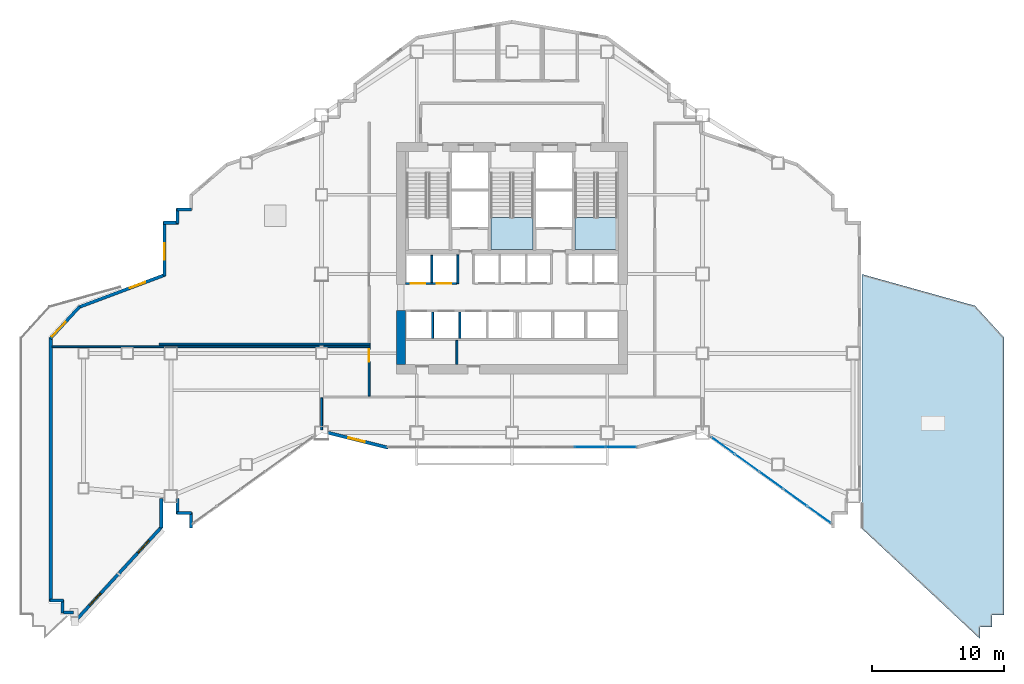
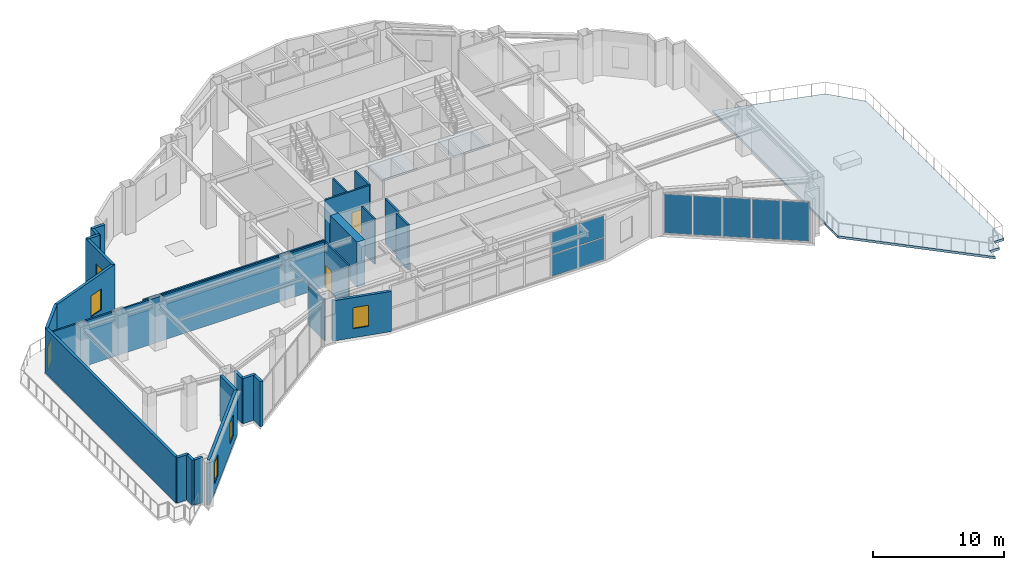
# One storey, part 9 of 19: 27 walls, 9 plates, 5 windows, 4 doors, 3 slabs, 9 openings, 4 elements without a shape of their own.
"""IFC4 building model written with IfcOpenShell, lengths in metres."""

import ifcopenshell
import ifcopenshell.guid

model = None  # the IFC model being written
_history = None  # IfcOwnerHistory: only IFC2X3 demands one
_inside = {}  # id of a spatial element -> (the spatial element, [elements in it])
_under = {}  # id of a project, library or spatial element -> (it, [spatial elements below it])
_declared = {}  # id of a project -> (the project, [libraries it declares])
_typed = {}  # id of a type object -> (the type object, [elements of that type])
_made_of = {}  # id of a material, layer set ... -> (it, [elements and type objects made of it])


def new_model(schema):
    """Start an empty IFC model of exactly this schema.

    Asked for "IFC4X3", IfcOpenShell would pick the latest addendum, in which some entities
    have other attributes; the version numbers below select the first issue.
    IFC2X3 requires an IfcOwnerHistory on every rooted entity: one is made here for all.
    """
    global model, _history
    if schema == "IFC4X3":
        model = ifcopenshell.file(schema_version=(4, 3, 0, 0))
    else:
        model = ifcopenshell.file(schema=schema)
    _inside.clear()
    _under.clear()
    _declared.clear()
    _typed.clear()
    _made_of.clear()
    _history = None
    if model.schema == "IFC2X3":
        org = make("IfcOrganization", Name="unknown")
        user = make(
            "IfcPersonAndOrganization",
            ThePerson=make("IfcPerson", FamilyName="unknown"),
            TheOrganization=org,
        )
        app = make(
            "IfcApplication",
            ApplicationDeveloper=org,
            Version="unknown",
            ApplicationFullName="unknown",
            ApplicationIdentifier="unknown",
        )
        _history = make(
            "IfcOwnerHistory",
            OwningUser=user,
            OwningApplication=app,
            ChangeAction="ADDED",
            CreationDate=0,
        )
    return model


def make(cls, **values):
    """One entity of the class cls with the attributes given. An attribute that is None is left unset."""
    return model.create_entity(
        cls, **{name: value for name, value in values.items() if value is not None}
    )


def rooted(cls, **values):
    """An entity with a GlobalId (a new one), such as an element, a storey or a relation."""
    return make(cls, GlobalId=ifcopenshell.guid.new(), OwnerHistory=_history, **values)


def si_unit(unit_type, name, prefix=None):
    """IfcSIUnit, for example si_unit("LENGTHUNIT", "METRE", prefix="MILLI")."""
    return make("IfcSIUnit", UnitType=unit_type, Prefix=prefix, Name=name)


def assignment(units):
    """IfcUnitAssignment: the units of a project."""
    return None if units is None else make("IfcUnitAssignment", Units=units)


def point(xyz):
    """IfcCartesianPoint."""
    return None if xyz is None else make("IfcCartesianPoint", Coordinates=xyz)


def direction(xyz):
    """IfcDirection."""
    return None if xyz is None else make("IfcDirection", DirectionRatios=xyz)


def frame(location, z_axis=None, x_axis=None):
    """IfcAxis2Placement3D, a coordinate frame: its origin and axes. An axis left out is left unset."""
    return make(
        "IfcAxis2Placement3D",
        Location=point(location),
        Axis=direction(z_axis),
        RefDirection=direction(x_axis),
    )


def frame_2d(location, x_axis=None):
    """IfcAxis2Placement2D, a coordinate frame in the plane: its origin and x axis."""
    return make(
        "IfcAxis2Placement2D", Location=point(location), RefDirection=direction(x_axis)
    )


def origin():
    """The frame at (0, 0, 0) with its axes left unset."""
    return frame((0.0, 0.0, 0.0))


def origin_2d():
    """The frame at (0, 0) in the plane with its x axis left unset."""
    return frame_2d((0.0, 0.0))


def place(relative_to, where):
    """IfcLocalPlacement: puts the frame where relative to a parent placement (None: the world)."""
    return make(
        "IfcLocalPlacement", PlacementRelTo=relative_to, RelativePlacement=where
    )


def context(
    kind, dimensions, precision=None, world=None, true_north=None, identifier=None
):
    """IfcGeometricRepresentationContext, for example the 3D "Model" context."""
    return make(
        "IfcGeometricRepresentationContext",
        ContextIdentifier=identifier,
        ContextType=kind,
        CoordinateSpaceDimension=dimensions,
        Precision=precision,
        WorldCoordinateSystem=world,
        TrueNorth=true_north,
    )


def subcontext(parent, identifier, kind, view, scale=None):
    """IfcGeometricRepresentationSubContext, for example "Body" below "Model"."""
    return make(
        "IfcGeometricRepresentationSubContext",
        ContextIdentifier=identifier,
        ContextType=kind,
        ParentContext=parent,
        TargetScale=scale,
        TargetView=view,
    )


def project(units=None, contexts=None):
    """IfcProject with its units and contexts."""
    return rooted(
        "IfcProject",
        Name="project",
        RepresentationContexts=contexts,
        UnitsInContext=assignment(units),
    )


def spatial(cls, under=None, at=None, **own):
    """A site, building, storey or space (cls), placed at a placement, below another one or the project."""
    s = rooted(cls, ObjectPlacement=at, **own)
    if under is not None:
        _under.setdefault(under.id(), (under, []))[1].append(s)
    return s


def polyline(points):
    """IfcPolyline through the points."""
    return make("IfcPolyline", Points=[point(p) for p in points])


def profile(cls, at=None, kind="AREA", **sizes):
    """A parametric profile (cls). Its sizes go by their IFC names, for example OverallWidth=200.0."""
    return make(cls, ProfileType=kind, Position=at, **sizes)


def rectangle(**sizes):
    """IfcRectangleProfileDef."""
    return profile("IfcRectangleProfileDef", **sizes)


def outline(outer, holes=None, kind="AREA"):
    """IfcArbitraryClosedProfileDef: a profile drawn as a closed curve; with holes, ...WithVoids."""
    if holes is None:
        return make("IfcArbitraryClosedProfileDef", ProfileType=kind, OuterCurve=outer)
    return make(
        "IfcArbitraryProfileDefWithVoids",
        ProfileType=kind,
        OuterCurve=outer,
        InnerCurves=holes,
    )


def extrude(swept, where, along, depth):
    """IfcExtrudedAreaSolid: the profile swept, set in the frame where, extruded along a direction by depth."""
    return make(
        "IfcExtrudedAreaSolid",
        SweptArea=swept,
        Position=where,
        ExtrudedDirection=direction(along),
        Depth=depth,
    )


def shape(context_of_items, identifier, shape_type, items):
    """IfcShapeRepresentation: the items that make up one representation, for example the "Body"."""
    return make(
        "IfcShapeRepresentation",
        ContextOfItems=context_of_items,
        RepresentationIdentifier=identifier,
        RepresentationType=shape_type,
        Items=items,
    )


def material(Name=None, Category=None):
    """IfcMaterial."""
    return make("IfcMaterial", Name=Name, Category=Category)


def layer(
    of_material, thickness, ventilated=None, Name=None, Category=None, Priority=None
):
    """IfcMaterialLayer: one layer of a wall or slab, of a material (None: an air gap)."""
    return make(
        "IfcMaterialLayer",
        Material=of_material,
        LayerThickness=thickness,
        IsVentilated=ventilated,
        Name=Name,
        Category=Category,
        Priority=Priority,
    )


def layer_set(layers, Name=None):
    """IfcMaterialLayerSet."""
    return make("IfcMaterialLayerSet", MaterialLayers=layers, LayerSetName=Name)


def made_of(thing, what):
    """Note that an element or type object is made of a material, layer set ...; save() writes the relation."""
    if what is not None:
        _made_of.setdefault(what.id(), (what, []))[1].append(thing)
    return thing


def type_object(cls, material=None, **own):
    """A type object (cls), such as IfcWallType, which elements share."""
    return made_of(rooted(cls, **own), material)


def element(
    cls,
    number,
    at=None,
    inside=None,
    cuts=None,
    type_object=None,
    material=None,
    context=None,
    identifier="Body",
    shape_type=None,
    held_by="IfcProductDefinitionShape",
    body=None,
    shapes=None,
    **own,
):
    """One element of the class cls, such as IfcWall. Its Tag is "e" and its number.

    at: its placement. inside: the storey or other place that contains it. cuts: it is an
    opening in that element (IfcRelVoidsElement). A single representation is given by context,
    identifier, shape_type and body (its items); several are given by shapes. held_by: the class
    of the entity that holds the representations. save() writes the other relations.
    """
    e = rooted(cls, Tag="e%d" % number, ObjectPlacement=at, **own)
    if body is not None:
        shapes = [shape(context, identifier, shape_type, body)]
    if shapes is not None:
        e.Representation = make(held_by, Representations=shapes)
    if inside is not None:
        _inside.setdefault(inside.id(), (inside, []))[1].append(e)
    if cuts is not None:
        rooted(
            "IfcRelVoidsElement", RelatingBuildingElement=cuts, RelatedOpeningElement=e
        )
    if type_object is not None:
        _typed.setdefault(type_object.id(), (type_object, []))[1].append(e)
    return made_of(e, material)


def fill(opening, filler):
    """IfcRelFillsElement: the door or window that sits in an opening."""
    return rooted(
        "IfcRelFillsElement",
        RelatingOpeningElement=opening,
        RelatedBuildingElement=filler,
    )


def aggregate(whole, parts):
    """IfcRelAggregates: a whole, such as a stair, and the parts it consists of."""
    return rooted("IfcRelAggregates", RelatingObject=whole, RelatedObjects=parts)


def save(model, path):
    """Write the relations noted so far, then the file.

    IfcRelAggregates (storeys below a building ...), IfcRelContainedInSpatialStructure (elements
    in a storey), IfcRelDefinesByType, IfcRelAssociatesMaterial and IfcRelDeclares: one each for
    every whole, place, type object, material and project.
    """
    for whole, parts in _under.values():
        aggregate(whole, parts)
    for where, things in _inside.values():
        rooted(
            "IfcRelContainedInSpatialStructure",
            RelatedElements=things,
            RelatingStructure=where,
        )
    for kind, things in _typed.values():
        rooted("IfcRelDefinesByType", RelatedObjects=things, RelatingType=kind)
    for what, things in _made_of.values():
        rooted("IfcRelAssociatesMaterial", RelatedObjects=things, RelatingMaterial=what)
    for by, libraries in _declared.values():
        rooted("IfcRelDeclares", RelatingContext=by, RelatedDefinitions=libraries)
    model.write(path)


model = new_model("IFC4")

# Units and contexts
model_context = context("Model", 3, precision=1e-05, world=origin(), true_north=direction((0.0, 1.0)))
body_context = subcontext(model_context, "Body", "Model", "MODEL_VIEW")
ifc_project = project(units=[si_unit("LENGTHUNIT", "METRE"), si_unit("AREAUNIT", "SQUARE_METRE"), si_unit("VOLUMEUNIT", "CUBIC_METRE"), si_unit("PLANEANGLEUNIT", "RADIAN"), si_unit("MASSUNIT", "GRAM", prefix="KILO")], contexts=[model_context])

# Site, building, storey
site_placement = place(None, origin())
site = spatial("IfcSite", under=ifc_project, at=site_placement, CompositionType="ELEMENT")
building_placement = place(site_placement, origin())
building = spatial("IfcBuilding", under=site, at=building_placement, Name="Haolan Belvedere Tower", CompositionType="ELEMENT")
storey_placement = place(building_placement, frame((0.0, 0.0, 94.0)))
storey = spatial("IfcBuildingStorey", under=building, at=storey_placement, Name="L23", CompositionType="ELEMENT", Elevation=94.0)

# Curtain wall, plates
ifc_material_1 = material(Name="Anodised champagne-silver aluminium 6063-T6 and Low-E glass", Category="aluminium")
ifc_layer_1 = layer(ifc_material_1, 0.195068359375, Name="Anodised champagne-silver aluminium 6063-T6 and Low-E glass")
ifc_layer_set_1 = layer_set([ifc_layer_1], Name="Anodised champagne-silver aluminium 6063-T6 and Low-E glass")
curtain_wall_type = type_object("IfcCurtainWallType", Name="CW-SYS-06", PredefinedType="NOTDEFINED", material=ifc_layer_set_1)
curtain_wall_1_placement = place(storey_placement, origin())
curtain_wall_1 = element("IfcCurtainWall", 1, at=curtain_wall_1_placement, inside=storey, type_object=curtain_wall_type, Name="L23 CW-SYS-06 ribbon curtain wall 7.1", PredefinedType="NOTDEFINED")
ifc_material_2 = material(Name="Double silver Low-E laminated insulating glass", Category="glass")
ifc_layer_2 = layer(ifc_material_2, 0.031982421875, Name="Double silver Low-E laminated insulating glass")
ifc_layer_set_2 = layer_set([ifc_layer_2], Name="Double silver Low-E laminated insulating glass")
plate_type = type_object("IfcPlateType", Name="CW-SYS-06-PNL", PredefinedType="CURTAIN_PANEL", material=ifc_layer_set_2)
plate_1_placement = place(storey_placement, frame((44.30322265625, 20.52001953125, 0.06494140625), z_axis=(0.0, 0.0, 1.0), x_axis=(1.0, 0.0, 0.0)))
plate_1 = element("IfcPlate", 2, at=plate_1_placement, type_object=plate_type, Name="CW-06 panel 7.1", PredefinedType="CURTAIN_PANEL", context=body_context, shape_type="SweptSolid", body=[
    extrude(rectangle(XDim=2.291259765625, YDim=0.031982421875, at=origin_2d()), origin(), (0.0, 0.0, 1.0), 2.00244140625),
])
plate_2_placement = place(storey_placement, frame((44.30322265625, 20.52001953125, 2.132568359375), z_axis=(0.0, 0.0, 1.0), x_axis=(1.0, 0.0, 0.0)))
plate_2 = element("IfcPlate", 3, at=plate_2_placement, type_object=plate_type, Name="CW-06 panel 7.2", PredefinedType="CURTAIN_PANEL", context=body_context, shape_type="SweptSolid", body=[
    extrude(rectangle(XDim=2.291259765625, YDim=0.031982421875, at=origin_2d()), origin(), (0.0, 0.0, 1.0), 2.00244140625),
])
plate_3_placement = place(storey_placement, frame((46.64697265625, 20.52001953125, 0.06494140625), z_axis=(0.0, 0.0, 1.0), x_axis=(1.0, 0.0, 0.0)))
plate_3 = element("IfcPlate", 4, at=plate_3_placement, type_object=plate_type, Name="CW-06 panel 8.1", PredefinedType="CURTAIN_PANEL", context=body_context, shape_type="SweptSolid", body=[
    extrude(rectangle(XDim=2.25634765625, YDim=0.031982421875, at=origin_2d()), origin(), (0.0, 0.0, 1.0), 2.00244140625),
])
plate_4_placement = place(storey_placement, frame((46.64697265625, 20.52001953125, 2.132568359375), z_axis=(0.0, 0.0, 1.0), x_axis=(1.0, 0.0, 0.0)))
plate_4 = element("IfcPlate", 5, at=plate_4_placement, type_object=plate_type, Name="CW-06 panel 8.2", PredefinedType="CURTAIN_PANEL", context=body_context, shape_type="SweptSolid", body=[
    extrude(rectangle(XDim=2.25634765625, YDim=0.031982421875, at=origin_2d()), origin(), (0.0, 0.0, 1.0), 2.00244140625),
])
aggregate(curtain_wall_1, [plate_1, plate_2, plate_3, plate_4])

curtain_wall_2_placement = place(storey_placement, origin())
curtain_wall_2 = element("IfcCurtainWall", 6, at=curtain_wall_2_placement, inside=storey, type_object=curtain_wall_type, Name="L23 CW-SYS-06 ribbon curtain wall 9.1", PredefinedType="NOTDEFINED")
plate_5_placement = place(storey_placement, frame((54.356201171875, 20.627197265625, 0.06494140625), z_axis=(0.0, 0.0, 1.0), x_axis=(0.811539900127, -0.584297005385, 0.0)))
plate_5 = element("IfcPlate", 7, at=plate_5_placement, type_object=plate_type, Name="CW-06 panel 1.1", PredefinedType="CURTAIN_PANEL", context=body_context, shape_type="SweptSolid", body=[
    extrude(rectangle(XDim=2.14697265625, YDim=0.031982421875, at=origin_2d()), origin(), (0.0, 0.0, 1.0), 3.614990234375),
])
plate_6_placement = place(storey_placement, frame((56.169677734375, 19.321533203125, 0.06494140625), z_axis=(0.0, 0.0, 1.0), x_axis=(0.811539900127, -0.584297005385, 0.0)))
plate_6 = element("IfcPlate", 8, at=plate_6_placement, type_object=plate_type, Name="CW-06 panel 2.1", PredefinedType="CURTAIN_PANEL", context=body_context, shape_type="SweptSolid", body=[
    extrude(rectangle(XDim=2.18212890625, YDim=0.031982421875, at=origin_2d()), origin(), (0.0, 0.0, 1.0), 3.614990234375),
])
plate_7_placement = place(storey_placement, frame((57.997314453125, 18.005859375, 0.06494140625), z_axis=(0.0, 0.0, 1.0), x_axis=(0.811539900127, -0.584297005385, 0.0)))
plate_7 = element("IfcPlate", 9, at=plate_7_placement, type_object=plate_type, Name="CW-06 panel 3.1", PredefinedType="CURTAIN_PANEL", context=body_context, shape_type="SweptSolid", body=[
    extrude(rectangle(XDim=2.18212890625, YDim=0.031982421875, at=origin_2d()), origin(), (0.0, 0.0, 1.0), 3.614990234375),
])
plate_8_placement = place(storey_placement, frame((59.824951171875, 16.68994140625, 0.06494140625), z_axis=(0.0, 0.0, 1.0), x_axis=(0.811539900127, -0.584297005385, 0.0)))
plate_8 = element("IfcPlate", 10, at=plate_8_placement, type_object=plate_type, Name="CW-06 panel 4.1", PredefinedType="CURTAIN_PANEL", context=body_context, shape_type="SweptSolid", body=[
    extrude(rectangle(XDim=2.18212890625, YDim=0.031982421875, at=origin_2d()), origin(), (0.0, 0.0, 1.0), 3.614990234375),
])
plate_9_placement = place(storey_placement, frame((61.638427734375, 15.38427734375, 0.06494140625), z_axis=(0.0, 0.0, 1.0), x_axis=(0.811539900127, -0.584297005385, 0.0)))
plate_9 = element("IfcPlate", 11, at=plate_9_placement, type_object=plate_type, Name="CW-06 panel 5.1", PredefinedType="CURTAIN_PANEL", context=body_context, shape_type="SweptSolid", body=[
    extrude(rectangle(XDim=2.14697265625, YDim=0.031982421875, at=origin_2d()), origin(), (0.0, 0.0, 1.0), 3.614990234375),
])
aggregate(curtain_wall_2, [plate_5, plate_6, plate_7, plate_8, plate_9])

# Stair, slab
ifc_material_3 = material(Name="Concrete C40/50", Category="concrete")
stair_type = type_object("IfcStairType", Name="STR-DL-26R-169", PredefinedType="HALF_TURN_STAIR", material=ifc_material_3)
stair_1_placement = place(storey_placement, origin())
stair_1 = element("IfcStair", 12, at=stair_1_placement, inside=storey, type_object=stair_type, Name="L23 Smokeproof Core Exit Stair ST3", PredefinedType="HALF_TURN_STAIR")
ifc_layer_3 = layer(ifc_material_3, 0.199951171875, Name="Concrete C40/50")
ifc_layer_set_3 = layer_set([ifc_layer_3], Name="Concrete C40/50")
slab_type_1 = type_object("IfcSlabType", Name="SL-LAND-200", PredefinedType="LANDING", material=ifc_layer_set_3)
slab_1_placement = place(storey_placement, frame((0.0, 0.0, 2.0)))
slab_1 = element("IfcSlab", 13, at=slab_1_placement, type_object=slab_type_1, Name="ST3 landing 1", PredefinedType="LANDING", context=body_context, shape_type="SweptSolid", body=[
    extrude(outline(polyline([(36.81005859375, 37.8701171875), (36.81005859375, 35.449951171875), (39.989990234375, 35.449951171875), (39.989990234375, 37.8701171875), (36.81005859375, 37.8701171875)])), origin(), (0.0, 0.0, 1.0), 0.199951171875),
])
aggregate(stair_1, [slab_1])

stair_2_placement = place(storey_placement, origin())
stair_2 = element("IfcStair", 14, at=stair_2_placement, inside=storey, type_object=stair_type, Name="L23 Smokeproof Core Exit Stair ST2", PredefinedType="HALF_TURN_STAIR")
slab_2_placement = place(storey_placement, frame((0.0, 0.0, 2.0)))
slab_2 = element("IfcSlab", 15, at=slab_2_placement, type_object=slab_type_1, Name="ST2 landing 1", PredefinedType="LANDING", context=body_context, shape_type="SweptSolid", body=[
    extrude(outline(polyline([(43.169921875, 37.8701171875), (43.169921875, 35.449951171875), (46.35009765625, 35.449951171875), (46.35009765625, 37.8701171875), (43.169921875, 37.8701171875)])), origin(), (0.0, 0.0, 1.0), 0.199951171875),
])
aggregate(stair_2, [slab_2])

# Slab
ifc_layer_4 = layer(ifc_material_3, 0.219970703125, Name="Concrete C40/50")
ifc_layer_set_4 = layer_set([ifc_layer_4], Name="Concrete C40/50")
slab_type_2 = type_object("IfcSlabType", Name="SL-TER-220", PredefinedType="FLOOR", material=ifc_layer_set_4)
slab_3_placement = place(storey_placement, frame((0.0, 0.0, -0.239990234375)))
element("IfcSlab", 16, at=slab_3_placement, inside=storey, type_object=slab_type_2, Name="L23 planted garden terrace slab 2", PredefinedType="FLOOR", context=body_context, shape_type="SweptSolid", body=[
    extrude(outline(polyline([(64.800048828125, 14.39990234375), (73.800048828125, 6.0), (73.800048828125, 6.896240234375), (73.80029296875, 6.89990234375), (73.8037109375, 6.89990234375), (74.699951171875, 6.89990234375), (74.699951171875, 7.79638671875), (74.7001953125, 7.7998046875), (74.70361328125, 7.800048828125), (75.60009765625, 7.800048828125), (75.60009765625, 28.800048828125), (73.39990234375, 31.199951171875), (64.85009765625, 33.5859375), (64.85009765625, 16.40185546875), (64.849853515625, 16.398681640625), (64.849365234375, 16.392578125), (64.848388671875, 16.387939453125), (64.846923828125, 16.38330078125), (64.84521484375, 16.378662109375), (64.8427734375, 16.37451171875), (64.840087890625, 16.370361328125), (64.800048828125, 16.321533203125), (64.800048828125, 14.39990234375)])), origin(), (0.0, 0.0, 1.0), 0.219970703125),
])

# Walls
ifc_material_4 = material(Name="Concrete C60/75", Category="concrete")
ifc_layer_5 = layer(ifc_material_4, 0.699951171875, Name="Concrete C60/75")
ifc_layer_set_5 = layer_set([ifc_layer_5], Name="Concrete C60/75")
wall_type_1 = type_object("IfcWallType", Name="WL-CORE-700", PredefinedType="SHEAR", material=ifc_layer_set_5)
wall_1_placement = place(storey_placement, frame((30.0, 26.75, 0.0), z_axis=(0.0, 0.0, 1.0), x_axis=(0.0, 1.0, 0.0)))
element("IfcWall", 17, at=wall_1_placement, inside=storey, type_object=wall_type_1, Name="L23 central core shear wall WS", PredefinedType="SHEAR", context=body_context, shape_type="SweptSolid", body=[
    extrude(rectangle(XDim=4.10009765625, YDim=0.699951171875, at=frame_2d((2.050048828125, 0.0))), origin(), (0.0, 0.0, 1.0), 4.199951171875),
])
ifc_material_5 = material(Name="Precast concrete C40/50", Category="concrete")
ifc_layer_6 = layer(ifc_material_5, 0.239990234375, Name="Precast concrete C40/50")
ifc_layer_set_6 = layer_set([ifc_layer_6], Name="Precast concrete C40/50")
wall_type_2 = type_object("IfcWallType", Name="WL-EXT-240", PredefinedType="SOLIDWALL", material=ifc_layer_set_6)
wall_2_placement = place(storey_placement, frame((13.1201171875, 16.639892578125, 0.0), z_axis=(0.0, 0.0, 1.0), x_axis=(0.0, -1.0, 0.0)))
element("IfcWall", 18, at=wall_2_placement, inside=storey, type_object=wall_type_2, Name="L23 pale-metal exterior spandrel wall 2.1", PredefinedType="SOLIDWALL", context=body_context, shape_type="SweptSolid", body=[
    extrude(rectangle(XDim=1.1748046875, YDim=0.239990234375, at=frame_2d((0.58740234375, 0.0))), origin(), (0.0, 0.0, 1.0), 4.199951171875),
])
wall_3_placement = place(storey_placement, frame((13.06494140625, 15.52001953125, 0.0), z_axis=(0.0, 0.0, 1.0), x_axis=(1.0, 0.0, 0.0)))
element("IfcWall", 19, at=wall_3_placement, inside=storey, type_object=wall_type_2, Name="L23 pale-metal exterior spandrel wall 3.1", PredefinedType="SOLIDWALL", context=body_context, shape_type="SweptSolid", body=[
    extrude(rectangle(XDim=1.110107421875, YDim=0.239990234375, at=frame_2d((0.55517578125, 0.0))), origin(), (0.0, 0.0, 1.0), 4.199951171875),
])
wall_4_placement = place(storey_placement, frame((14.1201171875, 15.574951171875, 0.0), z_axis=(0.0, 0.0, 1.0), x_axis=(0.0, -1.0, 0.0)))
element("IfcWall", 20, at=wall_4_placement, inside=storey, type_object=wall_type_2, Name="L23 pale-metal exterior spandrel wall 4.1", PredefinedType="SOLIDWALL", context=body_context, shape_type="SweptSolid", body=[
    extrude(rectangle(XDim=1.165771484375, YDim=0.239990234375, at=frame_2d((0.5830078125, 0.0))), origin(), (0.0, 0.0, 1.0), 4.199951171875),
])

# Wall, opening, window
wall_5_placement = place(storey_placement, frame((24.491943359375, 21.6005859375, 0.0), z_axis=(0.0, 0.0, 1.0), x_axis=(0.970145568042, -0.242523353121, 0.0)))
wall_5 = element("IfcWall", 21, at=wall_5_placement, inside=storey, type_object=wall_type_2, Name="L23 pale-metal exterior spandrel wall 6.1", PredefinedType="SOLIDWALL", context=body_context, shape_type="SweptSolid", body=[
    extrude(rectangle(XDim=4.680908203125, YDim=0.239990234375, at=frame_2d((2.34033203125, 0.0))), origin(), (0.0, 0.0, 1.0), 3.7451171875),
])
opening_1_placement = place(wall_5_placement, frame((1.60009765625, 0.0, 0.85009765625)))
opening_1 = element("IfcOpeningElement", 22, at=opening_1_placement, cuts=wall_5, Name="Opening W-04", PredefinedType="OPENING", context=body_context, shape_type="SweptSolid", body=[
    extrude(rectangle(XDim=1.25, YDim=1.949951171875, at=frame_2d((0.625, 0.97509765625))), frame((0.0, 0.1298828125, 0.0), z_axis=(0.0, -1.0, 0.0), x_axis=(1.0, 0.0, 0.0)), (0.0, 0.0, 1.0), 0.260009765625),
])
ifc_material_6 = material(Name="Anodised aluminium 6063-T6 and Low-E glass", Category="aluminium")
window_type = type_object("IfcWindowType", Name="WN-DECO-Z4", PartitioningType="SINGLE_PANEL", PredefinedType="WINDOW", material=ifc_material_6)
window_1_placement = place(opening_1_placement, origin())
window_1 = element("IfcWindow", 23, at=window_1_placement, inside=storey, type_object=window_type, Name="L23 Art Deco chevron window 1", OverallHeight=1.949951171875, OverallWidth=1.25, PartitioningType="SINGLE_PANEL", PredefinedType="WINDOW", context=body_context, shape_type="SweptSolid", body=[
    extrude(rectangle(XDim=1.25, YDim=1.949951171875, at=frame_2d((0.625, 0.97509765625))), frame((0.0, 0.030029296875, 0.0), z_axis=(0.0, -1.0, 0.0), x_axis=(1.0, 0.0, 0.0)), (0.0, 0.0, 1.0), 0.06005859375),
])
fill(opening_1, window_1)

# Walls
wall_6_placement = place(storey_placement, frame((14.175048828125, 38.47998046875, 0.0), z_axis=(0.0, 0.0, 1.0), x_axis=(-1.0, 0.0, 0.0)))
element("IfcWall", 24, at=wall_6_placement, inside=storey, type_object=wall_type_2, Name="L23 pale-metal exterior spandrel wall 38.1", PredefinedType="SOLIDWALL", context=body_context, shape_type="SweptSolid", body=[
    extrude(rectangle(XDim=1.110107421875, YDim=0.239990234375, at=frame_2d((0.55517578125, 0.0))), origin(), (0.0, 0.0, 1.0), 4.199951171875),
])
wall_7_placement = place(storey_placement, frame((13.1201171875, 38.534912109375, 0.0), z_axis=(0.0, 0.0, 1.0), x_axis=(0.0, -1.0, 0.0)))
element("IfcWall", 25, at=wall_7_placement, inside=storey, type_object=wall_type_2, Name="L23 pale-metal exterior spandrel wall 39.1", PredefinedType="SOLIDWALL", context=body_context, shape_type="SweptSolid", body=[
    extrude(rectangle(XDim=1.10986328125, YDim=0.239990234375, at=frame_2d((0.554931640625, 0.0))), origin(), (0.0, 0.0, 1.0), 4.199951171875),
])
wall_8_placement = place(storey_placement, frame((13.175048828125, 37.47998046875, 0.0), z_axis=(0.0, 0.0, 1.0), x_axis=(-1.0, 0.0, 0.0)))
element("IfcWall", 26, at=wall_8_placement, inside=storey, type_object=wall_type_2, Name="L23 pale-metal exterior spandrel wall 40.1", PredefinedType="SOLIDWALL", context=body_context, shape_type="SweptSolid", body=[
    extrude(rectangle(XDim=1.110107421875, YDim=0.239990234375, at=frame_2d((0.55517578125, 0.0))), origin(), (0.0, 0.0, 1.0), 4.199951171875),
])

# Wall, opening, window
wall_9_placement = place(storey_placement, frame((12.1201171875, 37.534912109375, 0.0), z_axis=(0.0, 0.0, 1.0), x_axis=(0.0, -1.0, 0.0)))
wall_9 = element("IfcWall", 27, at=wall_9_placement, inside=storey, type_object=wall_type_2, Name="L23 pale-metal exterior spandrel wall 41.1", PredefinedType="SOLIDWALL", context=body_context, shape_type="SweptSolid", body=[
    extrude(rectangle(XDim=4.072998046875, YDim=0.239990234375, at=frame_2d((2.03662109375, 0.0))), origin(), (0.0, 0.0, 1.0), 4.199951171875),
])
opening_2_placement = place(wall_9_placement, frame((1.60009765625, 0.0, 0.85009765625)))
opening_2 = element("IfcOpeningElement", 28, at=opening_2_placement, cuts=wall_9, Name="Opening W-04", PredefinedType="OPENING", context=body_context, shape_type="SweptSolid", body=[
    extrude(rectangle(XDim=1.25, YDim=1.949951171875, at=frame_2d((0.625, 0.97509765625))), frame((0.0, 0.1298828125, 0.0), z_axis=(0.0, -1.0, 0.0), x_axis=(1.0, 0.0, 0.0)), (0.0, 0.0, 1.0), 0.260009765625),
])
window_2_placement = place(opening_2_placement, origin())
window_2 = element("IfcWindow", 29, at=window_2_placement, inside=storey, type_object=window_type, Name="L23 Art Deco chevron window 1", OverallHeight=1.949951171875, OverallWidth=1.25, PartitioningType="SINGLE_PANEL", PredefinedType="WINDOW", context=body_context, shape_type="SweptSolid", body=[
    extrude(rectangle(XDim=1.25, YDim=1.949951171875, at=frame_2d((0.625, 0.97509765625))), frame((0.0, 0.030029296875, 0.0), z_axis=(0.0, -1.0, 0.0), x_axis=(1.0, 0.0, 0.0)), (0.0, 0.0, 1.0), 0.06005859375),
])
fill(opening_2, window_2)

wall_10_placement = place(storey_placement, frame((12.17138671875, 33.5361328125, 0.0), z_axis=(0.0, 0.0, 1.0), x_axis=(-0.936327744176, -0.351127263946, 0.0)))
wall_10 = element("IfcWall", 30, at=wall_10_placement, inside=storey, type_object=wall_type_2, Name="L23 pale-metal exterior spandrel wall 42.1", PredefinedType="SOLIDWALL", context=body_context, shape_type="SweptSolid", body=[
    extrude(rectangle(XDim=6.999755859375, YDim=0.239990234375, at=frame_2d((3.5, 0.0))), origin(), (0.0, 0.0, 1.0), 4.199951171875),
])
opening_3_placement = place(wall_10_placement, frame((1.60009765625, 0.0, 0.85009765625)))
opening_3 = element("IfcOpeningElement", 31, at=opening_3_placement, cuts=wall_10, Name="Opening W-04", PredefinedType="OPENING", context=body_context, shape_type="SweptSolid", body=[
    extrude(rectangle(XDim=1.25, YDim=1.949951171875, at=frame_2d((0.625, 0.97509765625))), frame((0.0, 0.1298828125, 0.0), z_axis=(0.0, -1.0, 0.0), x_axis=(1.0, 0.0, 0.0)), (0.0, 0.0, 1.0), 0.260009765625),
])
window_3_placement = place(opening_3_placement, origin())
window_3 = element("IfcWindow", 32, at=window_3_placement, inside=storey, type_object=window_type, Name="L23 Art Deco chevron window 1", OverallHeight=1.949951171875, OverallWidth=1.25, PartitioningType="SINGLE_PANEL", PredefinedType="WINDOW", context=body_context, shape_type="SweptSolid", body=[
    extrude(rectangle(XDim=1.25, YDim=1.949951171875, at=frame_2d((0.625, 0.97509765625))), frame((0.0, 0.030029296875, 0.0), z_axis=(0.0, -1.0, 0.0), x_axis=(1.0, 0.0, 0.0)), (0.0, 0.0, 1.0), 0.06005859375),
])
fill(opening_3, window_3)

# Wall, opening, door
wall_11_placement = place(storey_placement, frame((5.706298828125, 31.13818359375, 0.0), z_axis=(0.0, 0.0, 1.0), x_axis=(-0.675758228752, -0.737123338577, 0.0)))
wall_11 = element("IfcWall", 33, at=wall_11_placement, inside=storey, type_object=wall_type_2, Name="L23 pale-metal exterior spandrel wall 43.1", PredefinedType="SOLIDWALL", context=body_context, shape_type="SweptSolid", body=[
    extrude(rectangle(XDim=3.290283203125, YDim=0.239990234375, at=frame_2d((1.64501953125, 0.0))), origin(), (0.0, 0.0, 1.0), 4.199951171875),
])
opening_4_placement = place(wall_11_placement, frame((3.0703125, 0.0, 0.0), z_axis=(0.0, 0.0, 1.0), x_axis=(-1.0, 0.0, 0.0)))
opening_4 = element("IfcOpeningElement", 34, at=opening_4_placement, cuts=wall_11, Name="Opening TD-01", PredefinedType="OPENING", context=body_context, shape_type="SweptSolid", body=[
    extrude(rectangle(XDim=1.5, YDim=2.199951171875, at=frame_2d((0.75, 1.10009765625))), frame((0.0, 0.1298828125, 0.0), z_axis=(0.0, -1.0, 0.0), x_axis=(1.0, 0.0, 0.0)), (0.0, 0.0, 1.0), 0.260009765625),
])
ifc_material_7 = material(Name="Thermally broken pale-metal aluminium and Low-E glass", Category="aluminium")
door_type_1 = type_object("IfcDoorType", Name="DR-TER-1500", OperationType="DOUBLE_DOOR_SINGLE_SWING", PredefinedType="DOOR", material=ifc_material_7)
door_1_placement = place(opening_4_placement, origin())
door_1 = element("IfcDoor", 35, at=door_1_placement, inside=storey, type_object=door_type_1, Name="L23 garden terrace access door 1", OperationType="DOUBLE_DOOR_SINGLE_SWING", OverallHeight=2.199951171875, OverallWidth=1.5, PredefinedType="DOOR", context=body_context, shape_type="SweptSolid", body=[
    extrude(rectangle(XDim=1.5, YDim=2.199951171875, at=frame_2d((0.75, 1.10009765625))), frame((0.0, 0.02490234375, 0.0), z_axis=(0.0, -1.0, 0.0), x_axis=(1.0, 0.0, 0.0)), (0.0, 0.0, 1.0), 0.050048828125),
])
fill(opening_4, door_1)

# Walls
wall_12_placement = place(storey_placement, frame((3.52001953125, 28.808349609375, 0.0), z_axis=(0.0, 0.0, 1.0), x_axis=(0.0, -1.0, 0.0)))
element("IfcWall", 36, at=wall_12_placement, inside=storey, type_object=wall_type_2, Name="L23 pale-metal exterior spandrel wall 44.1", PredefinedType="SOLIDWALL", context=body_context, shape_type="SweptSolid", body=[
    extrude(rectangle(XDim=19.953369140625, YDim=0.239990234375, at=frame_2d((9.9765625, 0.0))), origin(), (0.0, 0.0, 1.0), 4.199951171875),
])
for number, where, z_axis, x_axis, name in (
    (37, (3.465087890625, 8.909912109375, 0.0), (0.0, 0.0, 1.0), (1.0, 0.0, 0.0), "L23 pale-metal exterior spandrel wall 45.1"),
    (38, (4.419921875, 8.965087890625, 0.0), (0.0, 0.0, 1.0), (0.0, -1.0, 0.0), "L23 pale-metal exterior spandrel wall 46.1"),
):
    element("IfcWall", number, at=place(storey_placement, frame(where, z_axis=z_axis, x_axis=x_axis)), inside=storey, type_object=wall_type_2, Name=name, PredefinedType="SOLIDWALL", context=body_context, shape_type="SweptSolid", body=[
        extrude(rectangle(XDim=1.010009765625, YDim=0.239990234375, at=frame_2d((0.5048828125, 0.0))), origin(), (0.0, 0.0, 1.0), 4.199951171875),
    ])
wall_13_placement = place(storey_placement, frame((4.485107421875, 8.010009765625, 0.0), z_axis=(0.0, 0.0, 1.0), x_axis=(1.0, 0.0, 0.0)))
element("IfcWall", 39, at=wall_13_placement, inside=storey, type_object=wall_type_2, Name="L23 pale-metal exterior spandrel wall 47.1", PredefinedType="SOLIDWALL", context=body_context, shape_type="SweptSolid", body=[
    extrude(rectangle(XDim=0.75, YDim=0.239990234375, at=frame_2d((0.375, 0.0))), origin(), (0.0, 0.0, 1.0), 4.199951171875),
])

# Wall, openings, windows
wall_14_placement = place(storey_placement, frame((5.37744140625, 7.36083984375, 0.0), z_axis=(0.0, 0.0, 1.0), x_axis=(0.676129143807, 0.736783130165, 0.0)))
wall_14 = element("IfcWall", 40, at=wall_14_placement, inside=storey, type_object=wall_type_2, Name="L23 pale-metal exterior spandrel wall 49.1", PredefinedType="SOLIDWALL", context=body_context, shape_type="SweptSolid", body=[
    extrude(rectangle(XDim=9.67236328125, YDim=0.239990234375, at=frame_2d((4.836181640625, 0.0))), origin(), (0.0, 0.0, 1.0), 4.199951171875),
])
opening_5_placement = place(wall_14_placement, frame((1.60009765625, 0.0, 0.85009765625)))
opening_5 = element("IfcOpeningElement", 41, at=opening_5_placement, cuts=wall_14, Name="Opening W-04", PredefinedType="OPENING", context=body_context, shape_type="SweptSolid", body=[
    extrude(rectangle(XDim=1.25, YDim=1.949951171875, at=frame_2d((0.625, 0.97509765625))), frame((0.0, 0.1298828125, 0.0), z_axis=(0.0, -1.0, 0.0), x_axis=(1.0, 0.0, 0.0)), (0.0, 0.0, 1.0), 0.260009765625),
])
opening_6_placement = place(wall_14_placement, frame((7.0, 0.0, 0.85009765625)))
opening_6 = element("IfcOpeningElement", 42, at=opening_6_placement, cuts=wall_14, Name="Opening W-04", PredefinedType="OPENING", context=body_context, shape_type="SweptSolid", body=[
    extrude(rectangle(XDim=1.25, YDim=1.949951171875, at=frame_2d((0.625, 0.97509765625))), frame((0.0, 0.1298828125, 0.0), z_axis=(0.0, -1.0, 0.0), x_axis=(1.0, 0.0, 0.0)), (0.0, 0.0, 1.0), 0.260009765625),
])
window_4_placement = place(opening_5_placement, origin())
window_4 = element("IfcWindow", 43, at=window_4_placement, inside=storey, type_object=window_type, Name="L23 Art Deco chevron window 1", OverallHeight=1.949951171875, OverallWidth=1.25, PartitioningType="SINGLE_PANEL", PredefinedType="WINDOW", context=body_context, shape_type="SweptSolid", body=[
    extrude(rectangle(XDim=1.25, YDim=1.949951171875, at=frame_2d((0.625, 0.97509765625))), frame((0.0, 0.030029296875, 0.0), z_axis=(0.0, -1.0, 0.0), x_axis=(1.0, 0.0, 0.0)), (0.0, 0.0, 1.0), 0.06005859375),
])
fill(opening_5, window_4)
window_5_placement = place(opening_6_placement, origin())
window_5 = element("IfcWindow", 44, at=window_5_placement, inside=storey, type_object=window_type, Name="L23 Art Deco chevron window 2", OverallHeight=1.949951171875, OverallWidth=1.25, PartitioningType="SINGLE_PANEL", PredefinedType="WINDOW", context=body_context, shape_type="SweptSolid", body=[
    extrude(rectangle(XDim=1.25, YDim=1.949951171875, at=frame_2d((0.625, 0.97509765625))), frame((0.0, 0.030029296875, 0.0), z_axis=(0.0, -1.0, 0.0), x_axis=(1.0, 0.0, 0.0)), (0.0, 0.0, 1.0), 0.06005859375),
])
fill(opening_6, window_5)

# Walls
wall_15_placement = place(storey_placement, frame((11.8798828125, 14.3916015625, 0.0), z_axis=(0.0, 0.0, 1.0), x_axis=(0.0, 1.0, 0.0)))
element("IfcWall", 45, at=wall_15_placement, inside=storey, type_object=wall_type_2, Name="L23 pale-metal exterior spandrel wall 50.1", PredefinedType="SOLIDWALL", context=body_context, shape_type="SweptSolid", body=[
    extrude(rectangle(XDim=2.248291015625, YDim=0.239990234375, at=frame_2d((1.1240234375, 0.0))), origin(), (0.0, 0.0, 1.0), 4.199951171875),
])
ifc_material_8 = material(Name="Double gypsum acoustic stud partition", Category="masonry")
ifc_layer_7 = layer(ifc_material_8, 0.14990234375, Name="Double gypsum acoustic stud partition")
ifc_layer_set_7 = layer_set([ifc_layer_7], Name="Double gypsum acoustic stud partition")
wall_type_3 = type_object("IfcWallType", Name="WL-PART-150", PredefinedType="PARTITIONING", material=ifc_layer_set_7)
wall_16_placement = place(storey_placement, frame((34.22998046875, 26.760009765625, 0.0), z_axis=(0.0, 0.0, 1.0), x_axis=(0.0, 1.0, 0.0)))
element("IfcWall", 46, at=wall_16_placement, inside=storey, type_object=wall_type_3, Name="L23 interior partition IW-L23-SCV-DIV-1", PredefinedType="PARTITIONING", context=body_context, shape_type="SweptSolid", body=[
    extrude(rectangle(XDim=1.820068359375, YDim=0.14990234375, at=frame_2d((0.91015625, 0.0))), origin(), (0.0, 0.0, 1.0), 4.199951171875),
])
wall_17_placement = place(storey_placement, frame((24.0, 21.818603515625, 0.0), z_axis=(0.0, 0.0, 1.0), x_axis=(0.0, 1.0, 0.0)))
element("IfcWall", 47, at=wall_17_placement, inside=storey, type_object=wall_type_3, Name="L23 interior partition IW-L23-SKYL-W", PredefinedType="PARTITIONING", context=body_context, shape_type="SweptSolid", body=[
    extrude(rectangle(XDim=2.42138671875, YDim=0.14990234375, at=frame_2d((1.210693359375, 0.0))), origin(), (0.0, 0.0, 1.0), 3.7451171875),
])
wall_18_placement = place(storey_placement, frame((3.625, 28.10009765625, 0.0), z_axis=(0.0, 0.0, 1.0), x_axis=(1.0, 0.0, 0.0)))
element("IfcWall", 48, at=wall_18_placement, inside=storey, type_object=wall_type_3, Name="L23 interior partition IW-L23-TBAR-N", PredefinedType="PARTITIONING", context=body_context, shape_type="SweptSolid", body=[
    extrude(rectangle(XDim=24.054931640625, YDim=0.14990234375, at=frame_2d((12.02734375, 0.0))), origin(), (0.0, 0.0, 1.0), 4.199951171875),
])

# Wall, opening, door
wall_19_placement = place(storey_placement, frame((27.60009765625, 24.360107421875, 0.0), z_axis=(0.0, 0.0, 1.0), x_axis=(0.0, 1.0, 0.0)))
wall_19 = element("IfcWall", 49, at=wall_19_placement, inside=storey, type_object=wall_type_3, Name="L23 interior partition IW-L23-TBAR-E", PredefinedType="PARTITIONING", context=body_context, shape_type="SweptSolid", body=[
    extrude(rectangle(XDim=3.679931640625, YDim=0.14990234375, at=frame_2d((1.83984375, 0.0))), origin(), (0.0, 0.0, 1.0), 4.199951171875),
])
opening_7_placement = place(wall_19_placement, frame((3.5400390625, 0.0, 0.0), z_axis=(0.0, 0.0, 1.0), x_axis=(-1.0, 0.0, 0.0)))
opening_7 = element("IfcOpeningElement", 50, at=opening_7_placement, cuts=wall_19, Name="Opening ID-03", PredefinedType="OPENING", context=body_context, shape_type="SweptSolid", body=[
    extrude(rectangle(XDim=0.949951171875, YDim=2.1201171875, at=frame_2d((0.47509765625, 1.06005859375))), frame((0.0, 0.0849609375, 0.0), z_axis=(0.0, -1.0, 0.0), x_axis=(1.0, 0.0, 0.0)), (0.0, 0.0, 1.0), 0.169921875),
])
ifc_material_9 = material(Name="Painted solid-core timber", Category="wood")
door_type_2 = type_object("IfcDoorType", Name="DR-INT-950", OperationType="NOTDEFINED", PredefinedType="DOOR", material=ifc_material_9)
door_2_placement = place(opening_7_placement, origin())
door_2 = element("IfcDoor", 51, at=door_2_placement, inside=storey, type_object=door_type_2, Name="L23 door ID-L23-TBAR", OperationType="SINGLE_SWING_LEFT", OverallHeight=2.1201171875, OverallWidth=0.949951171875, PredefinedType="DOOR", context=body_context, shape_type="SweptSolid", body=[
    extrude(rectangle(XDim=0.949951171875, YDim=2.1201171875, at=frame_2d((0.47509765625, 1.06005859375))), frame((0.0, 0.02490234375, 0.0), z_axis=(0.0, -1.0, 0.0), x_axis=(1.0, 0.0, 0.0)), (0.0, 0.0, 1.0), 0.050048828125),
])
fill(opening_7, door_2)

# Walls
wall_20_placement = place(storey_placement, frame((11.719970703125, 28.300048828125, 0.0), z_axis=(0.0, 0.0, 1.0), x_axis=(1.0, 0.0, 0.0)))
element("IfcWall", 52, at=wall_20_placement, inside=storey, type_object=wall_type_3, Name="L23 interior partition IW-L23-MTG-S", PredefinedType="PARTITIONING", context=body_context, shape_type="SweptSolid", body=[
    extrude(rectangle(XDim=15.9599609375, YDim=0.14990234375, at=frame_2d((7.97998046875, 0.0))), origin(), (0.0, 0.0, 1.0), 4.199951171875),
])
ifc_material_10 = material(Name="Gypsum fire shaftwall assembly", Category="masonry")
ifc_layer_8 = layer(ifc_material_10, 0.1650390625, Name="Gypsum fire shaftwall assembly")
ifc_layer_set_8 = layer_set([ifc_layer_8], Name="Gypsum fire shaftwall assembly")
wall_type_4 = type_object("IfcWallType", Name="WL-SHAFT-160", PredefinedType="SOLIDWALL", material=ifc_layer_set_8)
wall_21_placement = place(storey_placement, frame((34.31005859375, 32.8798828125, 0.0), z_axis=(0.0, 0.0, 1.0), x_axis=(0.0, 1.0, 0.0)))
element("IfcWall", 53, at=wall_21_placement, inside=storey, type_object=wall_type_4, Name="L23 interior partition IW-L23-SVP-W-SV1", PredefinedType="SOLIDWALL", context=body_context, shape_type="SweptSolid", body=[
    extrude(rectangle(XDim=2.170166015625, YDim=0.14990234375, at=frame_2d((1.0849609375, 0.0))), origin(), (0.0, 0.0, 1.0), 4.199951171875),
])

# Wall, openings, doors
wall_22_placement = place(storey_placement, frame((30.35009765625, 32.8798828125, 0.0), z_axis=(0.0, 0.0, 1.0), x_axis=(1.0, 0.0, 0.0)))
wall_22 = element("IfcWall", 54, at=wall_22_placement, inside=storey, type_object=wall_type_4, Name="L23 interior partition IW-L23-ROW-PN1", PredefinedType="SOLIDWALL", context=body_context, shape_type="SweptSolid", body=[
    extrude(rectangle(XDim=3.89990234375, YDim=0.159912109375, at=frame_2d((1.949951171875, 0.0))), origin(), (0.0, 0.0, 1.0), 4.199951171875),
])
opening_8_placement = place(wall_22_placement, frame((1.47998046875, 0.0, 0.0), z_axis=(0.0, 0.0, 1.0), x_axis=(-1.0, 0.0, 0.0)))
opening_8 = element("IfcOpeningElement", 55, at=opening_8_placement, cuts=wall_22, Name="Opening LD-01", PredefinedType="OPENING", context=body_context, shape_type="SweptSolid", body=[
    extrude(rectangle(XDim=1.10009765625, YDim=2.199951171875, at=frame_2d((0.550048828125, 1.10009765625))), frame((0.0, 0.08984375, 0.0), z_axis=(0.0, -1.0, 0.0), x_axis=(1.0, 0.0, 0.0)), (0.0, 0.0, 1.0), 0.179931640625),
])
opening_9_placement = place(wall_22_placement, frame((3.47021484375, 0.0, 0.0), z_axis=(0.0, 0.0, 1.0), x_axis=(-1.0, 0.0, 0.0)))
opening_9 = element("IfcOpeningElement", 56, at=opening_9_placement, cuts=wall_22, Name="Opening LD-01", PredefinedType="OPENING", context=body_context, shape_type="SweptSolid", body=[
    extrude(rectangle(XDim=1.10009765625, YDim=2.199951171875, at=frame_2d((0.550048828125, 1.10009765625))), frame((0.0, 0.08984375, 0.0), z_axis=(0.0, -1.0, 0.0), x_axis=(1.0, 0.0, 0.0)), (0.0, 0.0, 1.0), 0.179931640625),
])
ifc_material_11 = material(Name="Brushed champagne stainless steel 316L", Category="steel")
door_type_3 = type_object("IfcDoorType", Name="DR-LIFT-1100", OperationType="SLIDING_TO_LEFT", PredefinedType="DOOR", material=ifc_material_11)
door_3_placement = place(opening_8_placement, origin())
door_3 = element("IfcDoor", 57, at=door_3_placement, inside=storey, type_object=door_type_3, Name="L23 door ID-L23-LD-PL1", OperationType="SLIDING_TO_LEFT", OverallHeight=2.199951171875, OverallWidth=1.10009765625, PredefinedType="DOOR", context=body_context, shape_type="SweptSolid", body=[
    extrude(rectangle(XDim=1.10009765625, YDim=2.199951171875, at=frame_2d((0.550048828125, 1.10009765625))), frame((0.0, 0.02490234375, 0.0), z_axis=(0.0, -1.0, 0.0), x_axis=(1.0, 0.0, 0.0)), (0.0, 0.0, 1.0), 0.050048828125),
])
fill(opening_8, door_3)
door_4_placement = place(opening_9_placement, origin())
door_4 = element("IfcDoor", 58, at=door_4_placement, inside=storey, type_object=door_type_3, Name="L23 door ID-L23-LD-PL2", OperationType="SLIDING_TO_LEFT", OverallHeight=2.199951171875, OverallWidth=1.10009765625, PredefinedType="DOOR", context=body_context, shape_type="SweptSolid", body=[
    extrude(rectangle(XDim=1.10009765625, YDim=2.199951171875, at=frame_2d((0.550048828125, 1.10009765625))), frame((0.0, 0.02490234375, 0.0), z_axis=(0.0, -1.0, 0.0), x_axis=(1.0, 0.0, 0.0)), (0.0, 0.0, 1.0), 0.050048828125),
])
fill(opening_9, door_4)

# Walls
wall_23_placement = place(storey_placement, frame((32.340087890625, 32.949951171875, 0.0), z_axis=(0.0, 0.0, 1.0), x_axis=(0.0, 1.0, 0.0)))
element("IfcWall", 59, at=wall_23_placement, inside=storey, type_object=wall_type_4, Name="L23 interior partition IW-L23-DIV-PL1", PredefinedType="SOLIDWALL", context=body_context, shape_type="SweptSolid", body=[
    extrude(rectangle(XDim=2.050048828125, YDim=0.14990234375, at=frame_2d((1.02490234375, 0.0))), origin(), (0.0, 0.0, 1.0), 4.199951171875),
])
for number, where, z_axis, x_axis, name in (
    (60, (32.39990234375, 28.735107421875, 0.0), (0.0, 0.0, 1.0), (0.0, 1.0, 0.0), "L23 interior partition IW-L23-DIV-PM1"),
    (61, (34.4599609375, 28.735107421875, 0.0), (0.0, 0.0, 1.0), (0.0, 1.0, 0.0), "L23 interior partition IW-L23-DIV-PM2"),
):
    element("IfcWall", number, at=place(storey_placement, frame(where, z_axis=z_axis, x_axis=x_axis)), inside=storey, type_object=wall_type_4, Name=name, PredefinedType="SOLIDWALL", context=body_context, shape_type="SweptSolid", body=[
        extrude(rectangle(XDim=1.98486328125, YDim=0.14990234375, at=frame_2d((0.992431640625, 0.0))), origin(), (0.0, 0.0, 1.0), 4.199951171875),
    ])

save(model, "model.ifc")
